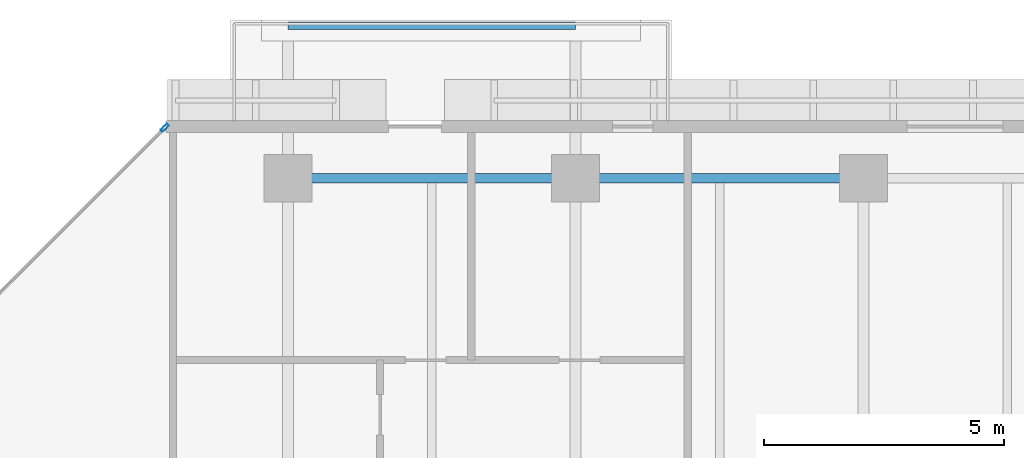
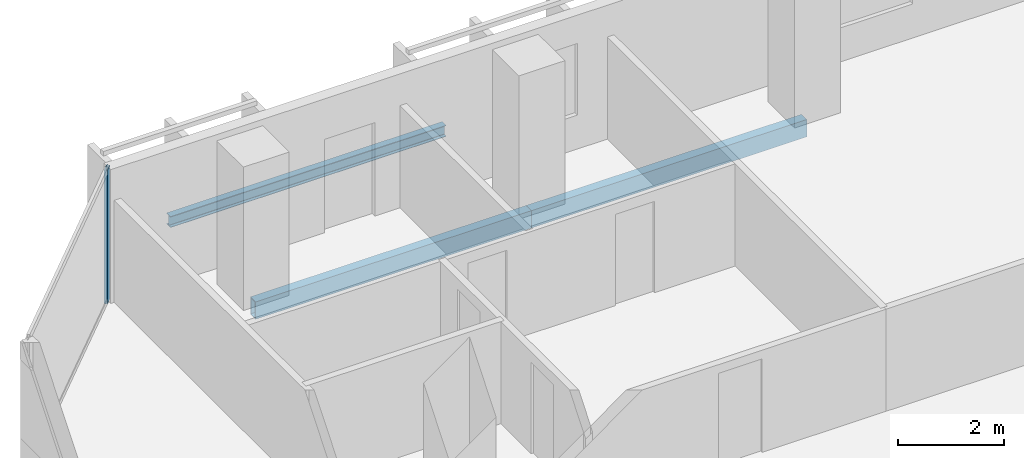
# One storey, part 11 of 33: 3 beams, 1 member, 1 element without a shape of its own.
"""IFC4 building model written with IfcOpenShell, lengths in metres."""

import ifcopenshell
import ifcopenshell.guid

model = None  # the IFC model being written
_history = None  # IfcOwnerHistory: only IFC2X3 demands one
_inside = {}  # id of a spatial element -> (the spatial element, [elements in it])
_under = {}  # id of a project, library or spatial element -> (it, [spatial elements below it])
_declared = {}  # id of a project -> (the project, [libraries it declares])
_typed = {}  # id of a type object -> (the type object, [elements of that type])
_made_of = {}  # id of a material, layer set ... -> (it, [elements and type objects made of it])


def new_model(schema):
    """Start an empty IFC model of exactly this schema.

    Asked for "IFC4X3", IfcOpenShell would pick the latest addendum, in which some entities
    have other attributes; the version numbers below select the first issue.
    IFC2X3 requires an IfcOwnerHistory on every rooted entity: one is made here for all.
    """
    global model, _history
    if schema == "IFC4X3":
        model = ifcopenshell.file(schema_version=(4, 3, 0, 0))
    else:
        model = ifcopenshell.file(schema=schema)
    _inside.clear()
    _under.clear()
    _declared.clear()
    _typed.clear()
    _made_of.clear()
    _history = None
    if model.schema == "IFC2X3":
        org = make("IfcOrganization", Name="unknown")
        user = make(
            "IfcPersonAndOrganization",
            ThePerson=make("IfcPerson", FamilyName="unknown"),
            TheOrganization=org,
        )
        app = make(
            "IfcApplication",
            ApplicationDeveloper=org,
            Version="unknown",
            ApplicationFullName="unknown",
            ApplicationIdentifier="unknown",
        )
        _history = make(
            "IfcOwnerHistory",
            OwningUser=user,
            OwningApplication=app,
            ChangeAction="ADDED",
            CreationDate=0,
        )
    return model


def make(cls, **values):
    """One entity of the class cls with the attributes given. An attribute that is None is left unset."""
    return model.create_entity(
        cls, **{name: value for name, value in values.items() if value is not None}
    )


def rooted(cls, **values):
    """An entity with a GlobalId (a new one), such as an element, a storey or a relation."""
    return make(cls, GlobalId=ifcopenshell.guid.new(), OwnerHistory=_history, **values)


def si_unit(unit_type, name, prefix=None):
    """IfcSIUnit, for example si_unit("LENGTHUNIT", "METRE", prefix="MILLI")."""
    return make("IfcSIUnit", UnitType=unit_type, Prefix=prefix, Name=name)


def assignment(units):
    """IfcUnitAssignment: the units of a project."""
    return None if units is None else make("IfcUnitAssignment", Units=units)


def point(xyz):
    """IfcCartesianPoint."""
    return None if xyz is None else make("IfcCartesianPoint", Coordinates=xyz)


def direction(xyz):
    """IfcDirection."""
    return None if xyz is None else make("IfcDirection", DirectionRatios=xyz)


def frame(location, z_axis=None, x_axis=None):
    """IfcAxis2Placement3D, a coordinate frame: its origin and axes. An axis left out is left unset."""
    return make(
        "IfcAxis2Placement3D",
        Location=point(location),
        Axis=direction(z_axis),
        RefDirection=direction(x_axis),
    )


def frame_2d(location, x_axis=None):
    """IfcAxis2Placement2D, a coordinate frame in the plane: its origin and x axis."""
    return make(
        "IfcAxis2Placement2D", Location=point(location), RefDirection=direction(x_axis)
    )


def origin():
    """The frame at (0, 0, 0) with its axes left unset."""
    return frame((0.0, 0.0, 0.0))


def origin_2d():
    """The frame at (0, 0) in the plane with its x axis left unset."""
    return frame_2d((0.0, 0.0))


def place(relative_to, where):
    """IfcLocalPlacement: puts the frame where relative to a parent placement (None: the world)."""
    return make(
        "IfcLocalPlacement", PlacementRelTo=relative_to, RelativePlacement=where
    )


def context(
    kind, dimensions, precision=None, world=None, true_north=None, identifier=None
):
    """IfcGeometricRepresentationContext, for example the 3D "Model" context."""
    return make(
        "IfcGeometricRepresentationContext",
        ContextIdentifier=identifier,
        ContextType=kind,
        CoordinateSpaceDimension=dimensions,
        Precision=precision,
        WorldCoordinateSystem=world,
        TrueNorth=true_north,
    )


def subcontext(parent, identifier, kind, view, scale=None):
    """IfcGeometricRepresentationSubContext, for example "Body" below "Model"."""
    return make(
        "IfcGeometricRepresentationSubContext",
        ContextIdentifier=identifier,
        ContextType=kind,
        ParentContext=parent,
        TargetScale=scale,
        TargetView=view,
    )


def project(units=None, contexts=None):
    """IfcProject with its units and contexts."""
    return rooted(
        "IfcProject",
        Name="project",
        RepresentationContexts=contexts,
        UnitsInContext=assignment(units),
    )


def spatial(cls, under=None, at=None, **own):
    """A site, building, storey or space (cls), placed at a placement, below another one or the project."""
    s = rooted(cls, ObjectPlacement=at, **own)
    if under is not None:
        _under.setdefault(under.id(), (under, []))[1].append(s)
    return s


def profile(cls, at=None, kind="AREA", **sizes):
    """A parametric profile (cls). Its sizes go by their IFC names, for example OverallWidth=200.0."""
    return make(cls, ProfileType=kind, Position=at, **sizes)


def hollow_rectangle(**sizes):
    """IfcRectangleHollowProfileDef."""
    return profile("IfcRectangleHollowProfileDef", **sizes)


def i_section(**sizes):
    """IfcIShapeProfileDef."""
    return profile("IfcIShapeProfileDef", **sizes)


def extrude(swept, where, along, depth):
    """IfcExtrudedAreaSolid: the profile swept, set in the frame where, extruded along a direction by depth."""
    return make(
        "IfcExtrudedAreaSolid",
        SweptArea=swept,
        Position=where,
        ExtrudedDirection=direction(along),
        Depth=depth,
    )


def shape(context_of_items, identifier, shape_type, items):
    """IfcShapeRepresentation: the items that make up one representation, for example the "Body"."""
    return make(
        "IfcShapeRepresentation",
        ContextOfItems=context_of_items,
        RepresentationIdentifier=identifier,
        RepresentationType=shape_type,
        Items=items,
    )


def material(Name=None, Category=None):
    """IfcMaterial."""
    return make("IfcMaterial", Name=Name, Category=Category)


def layer(
    of_material, thickness, ventilated=None, Name=None, Category=None, Priority=None
):
    """IfcMaterialLayer: one layer of a wall or slab, of a material (None: an air gap)."""
    return make(
        "IfcMaterialLayer",
        Material=of_material,
        LayerThickness=thickness,
        IsVentilated=ventilated,
        Name=Name,
        Category=Category,
        Priority=Priority,
    )


def layer_set(layers, Name=None):
    """IfcMaterialLayerSet."""
    return make("IfcMaterialLayerSet", MaterialLayers=layers, LayerSetName=Name)


def material_profile(
    of_material, cross_section, Name=None, Category=None, Priority=None
):
    """IfcMaterialProfile: a cross section and its material."""
    return make(
        "IfcMaterialProfile",
        Name=Name,
        Material=of_material,
        Profile=cross_section,
        Priority=Priority,
        Category=Category,
    )


def profile_set(profiles, Name=None, composite=None):
    """IfcMaterialProfileSet."""
    return make(
        "IfcMaterialProfileSet",
        Name=Name,
        MaterialProfiles=profiles,
        CompositeProfile=composite,
    )


def made_of(thing, what):
    """Note that an element or type object is made of a material, layer set ...; save() writes the relation."""
    if what is not None:
        _made_of.setdefault(what.id(), (what, []))[1].append(thing)
    return thing


def type_object(cls, material=None, **own):
    """A type object (cls), such as IfcWallType, which elements share."""
    return made_of(rooted(cls, **own), material)


def element(
    cls,
    number,
    at=None,
    inside=None,
    cuts=None,
    type_object=None,
    material=None,
    context=None,
    identifier="Body",
    shape_type=None,
    held_by="IfcProductDefinitionShape",
    body=None,
    shapes=None,
    **own,
):
    """One element of the class cls, such as IfcWall. Its Tag is "e" and its number.

    at: its placement. inside: the storey or other place that contains it. cuts: it is an
    opening in that element (IfcRelVoidsElement). A single representation is given by context,
    identifier, shape_type and body (its items); several are given by shapes. held_by: the class
    of the entity that holds the representations. save() writes the other relations.
    """
    e = rooted(cls, Tag="e%d" % number, ObjectPlacement=at, **own)
    if body is not None:
        shapes = [shape(context, identifier, shape_type, body)]
    if shapes is not None:
        e.Representation = make(held_by, Representations=shapes)
    if inside is not None:
        _inside.setdefault(inside.id(), (inside, []))[1].append(e)
    if cuts is not None:
        rooted(
            "IfcRelVoidsElement", RelatingBuildingElement=cuts, RelatedOpeningElement=e
        )
    if type_object is not None:
        _typed.setdefault(type_object.id(), (type_object, []))[1].append(e)
    return made_of(e, material)


def aggregate(whole, parts):
    """IfcRelAggregates: a whole, such as a stair, and the parts it consists of."""
    return rooted("IfcRelAggregates", RelatingObject=whole, RelatedObjects=parts)


def save(model, path):
    """Write the relations noted so far, then the file.

    IfcRelAggregates (storeys below a building ...), IfcRelContainedInSpatialStructure (elements
    in a storey), IfcRelDefinesByType, IfcRelAssociatesMaterial and IfcRelDeclares: one each for
    every whole, place, type object, material and project.
    """
    for whole, parts in _under.values():
        aggregate(whole, parts)
    for where, things in _inside.values():
        rooted(
            "IfcRelContainedInSpatialStructure",
            RelatedElements=things,
            RelatingStructure=where,
        )
    for kind, things in _typed.values():
        rooted("IfcRelDefinesByType", RelatedObjects=things, RelatingType=kind)
    for what, things in _made_of.values():
        rooted("IfcRelAssociatesMaterial", RelatedObjects=things, RelatingMaterial=what)
    for by, libraries in _declared.values():
        rooted("IfcRelDeclares", RelatingContext=by, RelatedDefinitions=libraries)
    model.write(path)


model = new_model("IFC4")

# Units and contexts
model_context = context("Model", 3, precision=1e-05, world=origin(), true_north=direction((0.0, 1.0)))
body_context = subcontext(model_context, "Body", "Model", "MODEL_VIEW")
ifc_project = project(units=[si_unit("LENGTHUNIT", "METRE"), si_unit("AREAUNIT", "SQUARE_METRE"), si_unit("VOLUMEUNIT", "CUBIC_METRE"), si_unit("PLANEANGLEUNIT", "RADIAN"), si_unit("MASSUNIT", "GRAM", prefix="KILO")], contexts=[model_context])

# Site, building, storey
site_placement = place(None, origin())
site = spatial("IfcSite", under=ifc_project, at=site_placement, CompositionType="ELEMENT")
building_placement = place(site_placement, origin())
building = spatial("IfcBuilding", under=site, at=building_placement, Name="Tanjung Sevakor Pilgrim Tower", CompositionType="ELEMENT")
storey_placement = place(building_placement, frame((0.0, 0.0, 95.3701171875)))
storey = spatial("IfcBuildingStorey", under=building, at=storey_placement, Name="L26", CompositionType="ELEMENT", Elevation=95.3701171875)

# Beams
ifc_material_1 = material(Name="Steel S355J2", Category="steel")
ifc_material_profile_1 = material_profile(ifc_material_1, i_section(OverallWidth=0.146484375, OverallDepth=0.256103515625, WebThickness=0.00634765625, FlangeThickness=0.010986328125, FilletRadius=0.007568359375, at=origin_2d()))
ifc_profile_set_1 = profile_set([ifc_material_profile_1], Name="Steel S355J2")
beam_type_1 = type_object("IfcBeamType", Name="BM-B-J6-UB_254x146x37", PredefinedType="JOIST", material=ifc_profile_set_1)
beam_placement = place(storey_placement, frame((24.0, 59.580078125, -0.328125), z_axis=(1.0, 0.0, 0.0), x_axis=(0.0, 1.0, 0.0)))
element("IfcBeam", 1, at=beam_placement, inside=storey, type_object=beam_type_1, Name="L26 Balcony Rim Tie MAIN-N1", PredefinedType="JOIST", context=body_context, shape_type="SweptSolid", body=[
    extrude(i_section(OverallWidth=0.146484375, OverallDepth=0.256103515625, WebThickness=0.00634765625, FlangeThickness=0.010986328125, FilletRadius=0.007568359375, at=origin_2d()), origin(), (0.0, 0.0, 1.0), 6.0),
])
ifc_material_2 = material(Name="Steel S355J2", Category="steel")
ifc_material_profile_2 = material_profile(ifc_material_2, hollow_rectangle(XDim=0.199951171875, YDim=0.39990234375, WallThickness=0.01611328125, at=origin_2d()))
ifc_profile_set_2 = profile_set([ifc_material_profile_2], Name="Steel S355J2")
beam_type_2 = type_object("IfcBeamType", Name="BM-B-SP2-RHS_400x200x16", PredefinedType="SPANDREL", material=ifc_profile_set_2)
for number, where, z_axis, x_axis, name in (
    (2, (24.0, 56.39990234375, -0.420166015625), (1.0, 0.0, 0.0), (0.0, 1.0, 0.0), "L26 Spandrel MAIN N-02"),
    (3, (30.0, 56.39990234375, -0.420166015625), (1.0, 0.0, 0.0), (0.0, 1.0, 0.0), "L26 Spandrel MAIN N-04"),
):
    element("IfcBeam", number, at=place(storey_placement, frame(where, z_axis=z_axis, x_axis=x_axis)), inside=storey, type_object=beam_type_2, Name=name, PredefinedType="SPANDREL", context=body_context, shape_type="SweptSolid", body=[
        extrude(hollow_rectangle(XDim=0.199951171875, YDim=0.39990234375, WallThickness=0.01611328125, at=origin_2d()), origin(), (0.0, 0.0, 1.0), 6.0),
    ])

# Curtain wall, member
ifc_material_3 = material(Name="Aluminium 6063-T6 and Low-E Glass", Category="aluminium")
ifc_layer = layer(ifc_material_3, 0.179931640625)
ifc_layer_set = layer_set([ifc_layer], Name="CW-SYS-CHAM")
curtain_wall_type = type_object("IfcCurtainWallType", Name="CW-SYS-CHAM", PredefinedType="NOTDEFINED", material=ifc_layer_set)
curtain_wall_placement = place(storey_placement, origin())
curtain_wall = element("IfcCurtainWall", 4, at=curtain_wall_placement, inside=storey, type_object=curtain_wall_type, Name="L26 Curtain Wall CW-CHM-L26-MAIN-13", PredefinedType="NOTDEFINED")
ifc_material_4 = material(Name="Aluminium 6063-T6", Category="aluminium")
ifc_material_profile_3 = material_profile(ifc_material_4, hollow_rectangle(XDim=0.06494140625, YDim=0.179931640625, WallThickness=0.00390625, at=origin_2d()))
ifc_profile_set_3 = profile_set([ifc_material_profile_3], Name="Aluminium 6063-T6")
member_type = type_object("IfcMemberType", Name="TYPE-CWM-1", PredefinedType="MULLION", material=ifc_profile_set_3)
member_placement = place(storey_placement, frame((21.4287109375, 57.451904296875, 0.0), z_axis=(0.0, 0.0, 1.0), x_axis=(0.707106781187, -0.707106781187, 0.0)))
member = element("IfcMember", 5, at=member_placement, type_object=member_type, Name="CW-CHM mullion 1", PredefinedType="MULLION", context=body_context, shape_type="SweptSolid", body=[
    extrude(hollow_rectangle(XDim=0.06494140625, YDim=0.179931640625, WallThickness=0.00390625, at=origin_2d()), origin(), (0.0, 0.0, 1.0), 3.079833984375),
])
aggregate(curtain_wall, [member])

save(model, "model.ifc")
